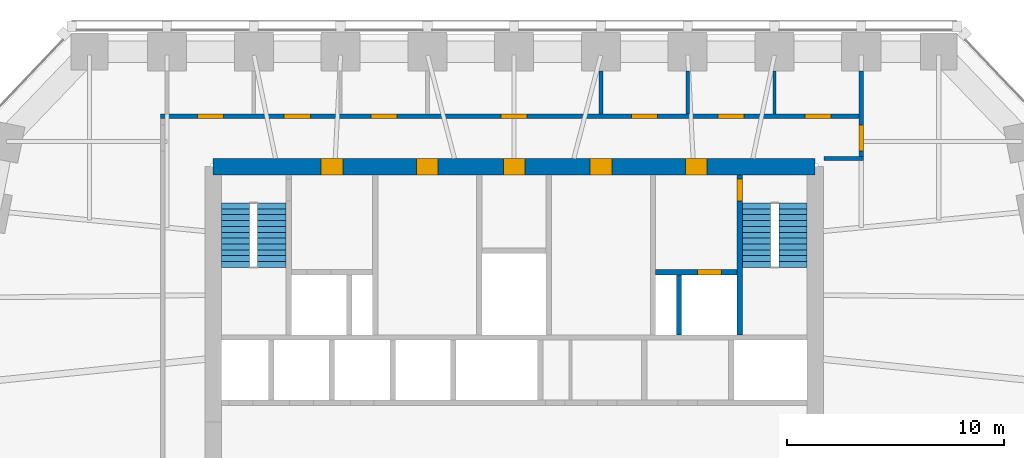
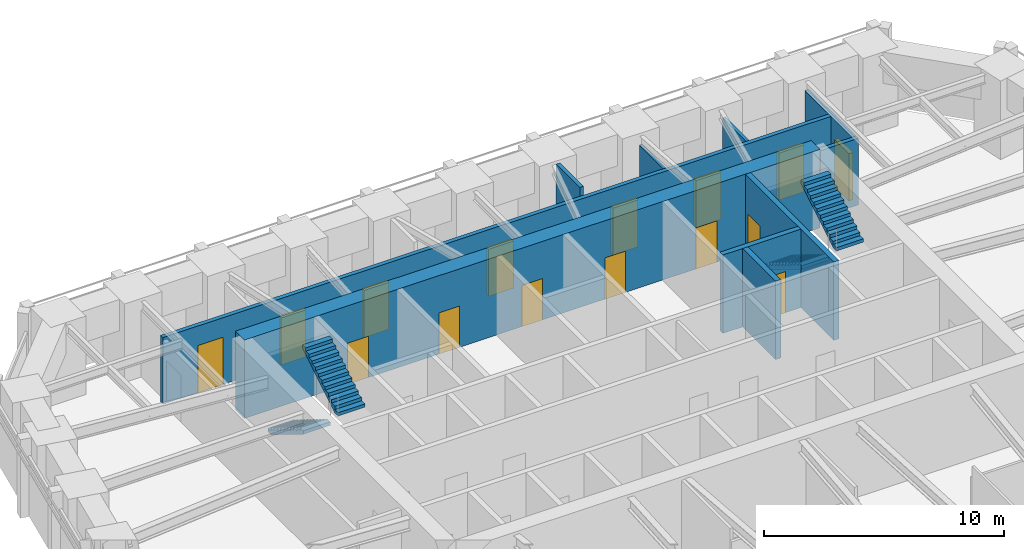
# One storey, part 7 of 9: 15 doors, 10 walls, 4 stair flights, 15 openings, 2 elements without a shape of their own.
"""IFC4 building model written with IfcOpenShell, lengths in metres."""

from ifc_helpers import new_model, si_unit, direction, frame, frame_2d, origin, place, context, subcontext, project, spatial, polyline, rectangle, outline, extrude, material, layer, layer_set, type_object, element, fill, aggregate, save


model = new_model("IFC4")

# Units and contexts
model_context = context("Model", 3, precision=1e-05, world=origin(), true_north=direction((0.0, 1.0)))
body_context = subcontext(model_context, "Body", "Model", "MODEL_VIEW")
ifc_project = project(units=[si_unit("LENGTHUNIT", "METRE"), si_unit("AREAUNIT", "SQUARE_METRE"), si_unit("VOLUMEUNIT", "CUBIC_METRE"), si_unit("PLANEANGLEUNIT", "RADIAN"), si_unit("MASSUNIT", "GRAM", prefix="KILO")], contexts=[model_context])

# Site, building, storey
site_placement = place(None, origin())
site = spatial("IfcSite", under=ifc_project, at=site_placement, CompositionType="ELEMENT")
building_placement = place(site_placement, origin())
building = spatial("IfcBuilding", under=site, at=building_placement, Name="Isbrekke Arena Tower", CompositionType="ELEMENT")
storey_placement = place(building_placement, frame((0.0, 0.0, 127.0)))
storey = spatial("IfcBuildingStorey", under=building, at=storey_placement, Name="L28", CompositionType="ELEMENT", Elevation=127.0)

# Wall, openings, doors
ifc_material_1 = material(Name="Concrete B55 (C55/67)", Category="concrete")
ifc_layer_1 = layer(ifc_material_1, 0.75)
ifc_layer_set_1 = layer_set([ifc_layer_1], Name="CW3 CORE WALL 750")
wall_type_1 = type_object("IfcWallType", Name="CW3 CORE WALL 750", PredefinedType="SHEAR", material=ifc_layer_set_1)
wall_1_placement = place(storey_placement, frame((13.875, 23.875, 0.0), z_axis=(0.0, 0.0, 1.0), x_axis=(-1.0, 0.0, 0.0)))
wall_1 = element("IfcWall", 1, at=wall_1_placement, inside=storey, type_object=wall_type_1, Name="Core wall N L28", PredefinedType="SHEAR", context=body_context, shape_type="SweptSolid", body=[
    extrude(rectangle(XDim=27.75, YDim=0.75, at=frame_2d((13.875, 0.0))), origin(), (0.0, 0.0, 1.0), 4.0),
])
opening_1_placement = place(wall_1_placement, frame((21.77490234375, 0.0, 0.0)))
opening_1 = element("IfcOpeningElement", 2, at=opening_1_placement, cuts=wall_1, Name="Opening D3", PredefinedType="OPENING", context=body_context, shape_type="SweptSolid", body=[
    extrude(rectangle(XDim=1.0, YDim=2.10009765625, at=frame_2d((0.5, 1.050048828125))), frame((0.0, 0.389892578125, 0.0), z_axis=(0.0, -1.0, 0.0), x_axis=(1.0, 0.0, 0.0)), (0.0, 0.0, 1.0), 0.77978515625),
])
opening_2_placement = place(wall_1_placement, frame((4.97509765625, 0.0, 0.0)))
opening_2 = element("IfcOpeningElement", 3, at=opening_2_placement, cuts=wall_1, Name="Opening D3", PredefinedType="OPENING", context=body_context, shape_type="SweptSolid", body=[
    extrude(rectangle(XDim=1.0, YDim=2.10009765625, at=frame_2d((0.5, 1.050048828125))), frame((0.0, 0.389892578125, 0.0), z_axis=(0.0, -1.0, 0.0), x_axis=(1.0, 0.0, 0.0)), (0.0, 0.0, 1.0), 0.77978515625),
])
opening_3_placement = place(wall_1_placement, frame((17.375, 0.0, 0.0)))
opening_3 = element("IfcOpeningElement", 4, at=opening_3_placement, cuts=wall_1, Name="Opening D4", PredefinedType="OPENING", context=body_context, shape_type="SweptSolid", body=[
    extrude(rectangle(XDim=1.0, YDim=2.10009765625, at=frame_2d((0.5, 1.050048828125))), frame((0.0, 0.389892578125, 0.0), z_axis=(0.0, -1.0, 0.0), x_axis=(1.0, 0.0, 0.0)), (0.0, 0.0, 1.0), 0.77978515625),
])
opening_4_placement = place(wall_1_placement, frame((13.375, 0.0, 0.0)))
opening_4 = element("IfcOpeningElement", 5, at=opening_4_placement, cuts=wall_1, Name="Opening D4", PredefinedType="OPENING", context=body_context, shape_type="SweptSolid", body=[
    extrude(rectangle(XDim=1.0, YDim=2.10009765625, at=frame_2d((0.5, 1.050048828125))), frame((0.0, 0.389892578125, 0.0), z_axis=(0.0, -1.0, 0.0), x_axis=(1.0, 0.0, 0.0)), (0.0, 0.0, 1.0), 0.77978515625),
])
opening_5_placement = place(wall_1_placement, frame((9.375, 0.0, 0.0)))
opening_5 = element("IfcOpeningElement", 6, at=opening_5_placement, cuts=wall_1, Name="Opening D4", PredefinedType="OPENING", context=body_context, shape_type="SweptSolid", body=[
    extrude(rectangle(XDim=1.0, YDim=2.10009765625, at=frame_2d((0.5, 1.050048828125))), frame((0.0, 0.389892578125, 0.0), z_axis=(0.0, -1.0, 0.0), x_axis=(1.0, 0.0, 0.0)), (0.0, 0.0, 1.0), 0.77978515625),
])
ifc_material_2 = material(Name="Steel fire door", Category="steel")
door_type_1 = type_object("IfcDoorType", Name="D3 FIRE LOBBY DOOR 1000 x 2100", OperationType="SINGLE_SWING_RIGHT", PredefinedType="DOOR", material=ifc_material_2)
door_1_placement = place(opening_1_placement, origin())
door_1 = element("IfcDoor", 7, at=door_1_placement, inside=storey, type_object=door_type_1, Name="D3 fire-fighting lobby door L28", OperationType="SINGLE_SWING_RIGHT", OverallHeight=2.10009765625, OverallWidth=1.0, PredefinedType="DOOR", context=body_context, shape_type="SweptSolid", body=[
    extrude(rectangle(XDim=1.0, YDim=2.10009765625, at=frame_2d((0.5, 1.050048828125))), frame((0.0, 0.374755859375, 0.0), z_axis=(0.0, -1.0, 0.0), x_axis=(1.0, 0.0, 0.0)), (0.0, 0.0, 1.0), 0.74951171875),
])
fill(opening_1, door_1)
door_2_placement = place(opening_2_placement, origin())
door_2 = element("IfcDoor", 8, at=door_2_placement, inside=storey, type_object=door_type_1, Name="D3 fire-fighting lobby door L28", OperationType="SINGLE_SWING_RIGHT", OverallHeight=2.10009765625, OverallWidth=1.0, PredefinedType="DOOR", context=body_context, shape_type="SweptSolid", body=[
    extrude(rectangle(XDim=1.0, YDim=2.10009765625, at=frame_2d((0.5, 1.050048828125))), frame((0.0, 0.374755859375, 0.0), z_axis=(0.0, -1.0, 0.0), x_axis=(1.0, 0.0, 0.0)), (0.0, 0.0, 1.0), 0.74951171875),
])
fill(opening_2, door_2)
ifc_material_3 = material(Name="Timber door", Category="wood")
door_type_2 = type_object("IfcDoorType", Name="D4 WC DOOR 1000 x 2100", OperationType="SINGLE_SWING_LEFT", PredefinedType="DOOR", material=ifc_material_3)
door_3_placement = place(opening_3_placement, origin())
door_3 = element("IfcDoor", 9, at=door_3_placement, inside=storey, type_object=door_type_2, Name="D4 wc female door L28", OperationType="SINGLE_SWING_LEFT", OverallHeight=2.10009765625, OverallWidth=1.0, PredefinedType="DOOR", context=body_context, shape_type="SweptSolid", body=[
    extrude(rectangle(XDim=1.0, YDim=2.10009765625, at=frame_2d((0.5, 1.050048828125))), frame((0.0, 0.374755859375, 0.0), z_axis=(0.0, -1.0, 0.0), x_axis=(1.0, 0.0, 0.0)), (0.0, 0.0, 1.0), 0.74951171875),
])
fill(opening_3, door_3)
door_4_placement = place(opening_4_placement, origin())
door_4 = element("IfcDoor", 10, at=door_4_placement, inside=storey, type_object=door_type_2, Name="D4 accessible wc door L28", OperationType="SINGLE_SWING_LEFT", OverallHeight=2.10009765625, OverallWidth=1.0, PredefinedType="DOOR", context=body_context, shape_type="SweptSolid", body=[
    extrude(rectangle(XDim=1.0, YDim=2.10009765625, at=frame_2d((0.5, 1.050048828125))), frame((0.0, 0.374755859375, 0.0), z_axis=(0.0, -1.0, 0.0), x_axis=(1.0, 0.0, 0.0)), (0.0, 0.0, 1.0), 0.74951171875),
])
fill(opening_4, door_4)
door_5_placement = place(opening_5_placement, origin())
door_5 = element("IfcDoor", 11, at=door_5_placement, inside=storey, type_object=door_type_2, Name="D4 wc male door L28", OperationType="SINGLE_SWING_LEFT", OverallHeight=2.10009765625, OverallWidth=1.0, PredefinedType="DOOR", context=body_context, shape_type="SweptSolid", body=[
    extrude(rectangle(XDim=1.0, YDim=2.10009765625, at=frame_2d((0.5, 1.050048828125))), frame((0.0, 0.374755859375, 0.0), z_axis=(0.0, -1.0, 0.0), x_axis=(1.0, 0.0, 0.0)), (0.0, 0.0, 1.0), 0.74951171875),
])
fill(opening_5, door_5)

# Wall, opening, door
ifc_material_4 = material(Name="Concrete B45 (C45/55)", Category="concrete")
ifc_layer_2 = layer(ifc_material_4, 0.25)
ifc_layer_set_2 = layer_set([ifc_layer_2], Name="CW6 SHAFT WALL 250")
wall_type_2 = type_object("IfcWallType", Name="CW6 SHAFT WALL 250", PredefinedType="SHEAR", material=ifc_layer_set_2)
wall_2_placement = place(storey_placement, frame((10.39990234375, 16.125, 0.0), z_axis=(0.0, 0.0, 1.0), x_axis=(0.0, 1.0, 0.0)))
wall_2 = element("IfcWall", 12, at=wall_2_placement, inside=storey, type_object=wall_type_2, Name="Core wall NV06 L28", PredefinedType="SHEAR", context=body_context, shape_type="SweptSolid", body=[
    extrude(rectangle(XDim=7.375, YDim=0.25, at=frame_2d((3.6875, 0.0))), origin(), (0.0, 0.0, 1.0), 4.0),
])
opening_6_placement = place(wall_2_placement, frame((6.175048828125, 0.0, 0.0)))
opening_6 = element("IfcOpeningElement", 13, at=opening_6_placement, cuts=wall_2, Name="Opening D2", PredefinedType="OPENING", context=body_context, shape_type="SweptSolid", body=[
    extrude(rectangle(XDim=1.0, YDim=2.10009765625, at=frame_2d((0.5, 1.050048828125))), frame((0.0, 0.139892578125, 0.0), z_axis=(0.0, -1.0, 0.0), x_axis=(1.0, 0.0, 0.0)), (0.0, 0.0, 1.0), 0.27978515625),
])
ifc_material_5 = material(Name="Steel fire door", Category="steel")
door_type_3 = type_object("IfcDoorType", Name="D2 STAIR DOOR 1000 x 2100", OperationType="SINGLE_SWING_LEFT", PredefinedType="DOOR", material=ifc_material_5)
door_6_placement = place(opening_6_placement, origin())
door_6 = element("IfcDoor", 14, at=door_6_placement, inside=storey, type_object=door_type_3, Name="D2 stair door ST2 L28", OperationType="SINGLE_SWING_LEFT", OverallHeight=2.10009765625, OverallWidth=1.0, PredefinedType="DOOR", context=body_context, shape_type="SweptSolid", body=[
    extrude(rectangle(XDim=1.0, YDim=2.10009765625, at=frame_2d((0.5, 1.050048828125))), frame((0.0, 0.124755859375, 0.0), z_axis=(0.0, -1.0, 0.0), x_axis=(1.0, 0.0, 0.0)), (0.0, 0.0, 1.0), 0.24951171875),
])
fill(opening_6, door_6)

wall_3_placement = place(storey_placement, frame((6.52490234375, 19.0, 0.0), z_axis=(0.0, 0.0, 1.0), x_axis=(1.0, 0.0, 0.0)))
wall_3 = element("IfcWall", 15, at=wall_3_placement, inside=storey, type_object=wall_type_2, Name="Core wall NFE L28", PredefinedType="SHEAR", context=body_context, shape_type="SweptSolid", body=[
    extrude(rectangle(XDim=3.75, YDim=0.25, at=frame_2d((1.875, 0.0))), origin(), (0.0, 0.0, 1.0), 4.0),
])
opening_7_placement = place(wall_3_placement, frame((1.925048828125, 0.0, 0.0)))
opening_7 = element("IfcOpeningElement", 16, at=opening_7_placement, cuts=wall_3, Name="Opening LD2", PredefinedType="OPENING", context=body_context, shape_type="SweptSolid", body=[
    extrude(rectangle(XDim=1.10009765625, YDim=2.10009765625, at=frame_2d((0.550048828125, 1.050048828125))), frame((0.0, 0.139892578125, 0.0), z_axis=(0.0, -1.0, 0.0), x_axis=(1.0, 0.0, 0.0)), (0.0, 0.0, 1.0), 0.27978515625),
])
ifc_material_6 = material(Name="Stainless steel lift landing door", Category="steel")
door_type_4 = type_object("IfcDoorType", Name="LD2 FIRE-FIGHTING LIFT LANDING DOOR 1100 x 2100", OperationType="SLIDING_TO_RIGHT", PredefinedType="DOOR", material=ifc_material_6)
door_7_placement = place(opening_7_placement, origin())
door_7 = element("IfcDoor", 17, at=door_7_placement, inside=storey, type_object=door_type_4, Name="LD2 lift landing door LF L28", OperationType="SLIDING_TO_RIGHT", OverallHeight=2.10009765625, OverallWidth=1.10009765625, PredefinedType="DOOR", context=body_context, shape_type="SweptSolid", body=[
    extrude(rectangle(XDim=1.10009765625, YDim=2.10009765625, at=frame_2d((0.550048828125, 1.050048828125))), frame((0.0, 0.124755859375, 0.0), z_axis=(0.0, -1.0, 0.0), x_axis=(1.0, 0.0, 0.0)), (0.0, 0.0, 1.0), 0.24951171875),
])
fill(opening_7, door_7)

# Walls
wall_4_placement = place(storey_placement, frame((7.60009765625, 16.125, 0.0), z_axis=(0.0, 0.0, 1.0), x_axis=(0.0, 1.0, 0.0)))
element("IfcWall", 18, at=wall_4_placement, inside=storey, type_object=wall_type_2, Name="Core wall NFS2 L28", PredefinedType="SHEAR", context=body_context, shape_type="SweptSolid", body=[
    extrude(rectangle(XDim=2.75, YDim=0.25, at=frame_2d((1.375, 0.0))), origin(), (0.0, 0.0, 1.0), 4.0),
])
ifc_material_7 = material(Name="Gypsum board partition on steel studs", Category="steel")
ifc_layer_3 = layer(ifc_material_7, 0.14990234375)
ifc_layer_set_3 = layer_set([ifc_layer_3], Name="IW1 PARTITION 150")
wall_type_3 = type_object("IfcWallType", Name="IW1 PARTITION 150", PredefinedType="PARTITIONING", material=ifc_layer_set_3)
for number, where, z_axis, x_axis, name in (
    (19, (8.0, 26.300048828125, 0.0), (0.0, 0.0, 1.0), (0.0, 1.0, 0.0), "IW1 partition 150 L28"),
    (20, (12.0, 26.300048828125, 0.0), (0.0, 0.0, 1.0), (0.0, 1.0, 0.0), "IW1 partition 150 L28"),
):
    element("IfcWall", number, at=place(storey_placement, frame(where, z_axis=z_axis, x_axis=x_axis)), inside=storey, type_object=wall_type_3, Name=name, PredefinedType="PARTITIONING", context=body_context, shape_type="SweptSolid", body=[
        extrude(rectangle(XDim=1.974853515625, YDim=0.14990234375, at=frame_2d((0.9873046875, 0.0))), origin(), (0.0, 0.0, 1.0), 3.39990234375),
    ])
ifc_material_8 = material(Name="Gypsum board fire-cell wall on steel studs, two layers each side", Category="steel")
ifc_layer_4 = layer(ifc_material_8, 0.199951171875)
ifc_layer_set_4 = layer_set([ifc_layer_4], Name="IW3 FIRE-CELL WALL 200")
wall_type_4 = type_object("IfcWallType", Name="IW3 FIRE-CELL WALL 200", PredefinedType="PARTITIONING", material=ifc_layer_set_4)
wall_5_placement = place(storey_placement, frame((14.280029296875, 24.25, 0.0), z_axis=(0.0, 0.0, 1.0), x_axis=(1.0, 0.0, 0.0)))
element("IfcWall", 21, at=wall_5_placement, inside=storey, type_object=wall_type_4, Name="IW3 fire-cell wall 200 L28", PredefinedType="PARTITIONING", context=body_context, shape_type="SweptSolid", body=[
    extrude(rectangle(XDim=1.820068359375, YDim=0.199951171875, at=frame_2d((0.91015625, 0.0))), origin(), (0.0, 0.0, 1.0), 3.39990234375),
])

# Wall, openings, doors
wall_6_placement = place(storey_placement, frame((-16.300048828125, 26.199951171875, 0.0), z_axis=(0.0, 0.0, 1.0), x_axis=(1.0, 0.0, 0.0)))
wall_6 = element("IfcWall", 22, at=wall_6_placement, inside=storey, type_object=wall_type_4, Name="IW3 fire-cell wall 200 L28", PredefinedType="PARTITIONING", context=body_context, shape_type="SweptSolid", body=[
    extrude(rectangle(XDim=32.199951171875, YDim=0.199951171875, at=frame_2d((16.10009765625, 0.0))), origin(), (0.0, 0.0, 1.0), 3.39990234375),
])
opening_8_placement = place(wall_6_placement, frame((1.699951171875, 0.0, 0.0)))
opening_8 = element("IfcOpeningElement", 23, at=opening_8_placement, cuts=wall_6, Name="Opening D12", PredefinedType="OPENING", context=body_context, shape_type="SweptSolid", body=[
    extrude(rectangle(XDim=1.199951171875, YDim=2.39990234375, at=frame_2d((0.60009765625, 1.199951171875))), frame((0.0, 0.11474609375, 0.0), z_axis=(0.0, -1.0, 0.0), x_axis=(1.0, 0.0, 0.0)), (0.0, 0.0, 1.0), 0.229736328125),
])
opening_9_placement = place(wall_6_placement, frame((5.699951171875, 0.0, 0.0)))
opening_9 = element("IfcOpeningElement", 24, at=opening_9_placement, cuts=wall_6, Name="Opening D12", PredefinedType="OPENING", context=body_context, shape_type="SweptSolid", body=[
    extrude(rectangle(XDim=1.199951171875, YDim=2.39990234375, at=frame_2d((0.60009765625, 1.199951171875))), frame((0.0, 0.11474609375, 0.0), z_axis=(0.0, -1.0, 0.0), x_axis=(1.0, 0.0, 0.0)), (0.0, 0.0, 1.0), 0.229736328125),
])
opening_10_placement = place(wall_6_placement, frame((9.699951171875, 0.0, 0.0)))
opening_10 = element("IfcOpeningElement", 25, at=opening_10_placement, cuts=wall_6, Name="Opening D12", PredefinedType="OPENING", context=body_context, shape_type="SweptSolid", body=[
    extrude(rectangle(XDim=1.199951171875, YDim=2.39990234375, at=frame_2d((0.60009765625, 1.199951171875))), frame((0.0, 0.11474609375, 0.0), z_axis=(0.0, -1.0, 0.0), x_axis=(1.0, 0.0, 0.0)), (0.0, 0.0, 1.0), 0.229736328125),
])
opening_11_placement = place(wall_6_placement, frame((15.699951171875, 0.0, 0.0)))
opening_11 = element("IfcOpeningElement", 26, at=opening_11_placement, cuts=wall_6, Name="Opening D12", PredefinedType="OPENING", context=body_context, shape_type="SweptSolid", body=[
    extrude(rectangle(XDim=1.199951171875, YDim=2.39990234375, at=frame_2d((0.60009765625, 1.199951171875))), frame((0.0, 0.11474609375, 0.0), z_axis=(0.0, -1.0, 0.0), x_axis=(1.0, 0.0, 0.0)), (0.0, 0.0, 1.0), 0.229736328125),
])
opening_12_placement = place(wall_6_placement, frame((21.699951171875, 0.0, 0.0)))
opening_12 = element("IfcOpeningElement", 27, at=opening_12_placement, cuts=wall_6, Name="Opening D12", PredefinedType="OPENING", context=body_context, shape_type="SweptSolid", body=[
    extrude(rectangle(XDim=1.199951171875, YDim=2.39990234375, at=frame_2d((0.60009765625, 1.199951171875))), frame((0.0, 0.11474609375, 0.0), z_axis=(0.0, -1.0, 0.0), x_axis=(1.0, 0.0, 0.0)), (0.0, 0.0, 1.0), 0.229736328125),
])
opening_13_placement = place(wall_6_placement, frame((25.699951171875, 0.0, 0.0)))
opening_13 = element("IfcOpeningElement", 28, at=opening_13_placement, cuts=wall_6, Name="Opening D12", PredefinedType="OPENING", context=body_context, shape_type="SweptSolid", body=[
    extrude(rectangle(XDim=1.199951171875, YDim=2.39990234375, at=frame_2d((0.60009765625, 1.199951171875))), frame((0.0, 0.11474609375, 0.0), z_axis=(0.0, -1.0, 0.0), x_axis=(1.0, 0.0, 0.0)), (0.0, 0.0, 1.0), 0.229736328125),
])
opening_14_placement = place(wall_6_placement, frame((29.699951171875, 0.0, 0.0)))
opening_14 = element("IfcOpeningElement", 29, at=opening_14_placement, cuts=wall_6, Name="Opening D12", PredefinedType="OPENING", context=body_context, shape_type="SweptSolid", body=[
    extrude(rectangle(XDim=1.199951171875, YDim=2.39990234375, at=frame_2d((0.60009765625, 1.199951171875))), frame((0.0, 0.11474609375, 0.0), z_axis=(0.0, -1.0, 0.0), x_axis=(1.0, 0.0, 0.0)), (0.0, 0.0, 1.0), 0.229736328125),
])
ifc_material_9 = material(Name="Timber fire door with vision panel", Category="wood")
door_type_5 = type_object("IfcDoorType", Name="D12 SUITE ENTRANCE DOOR 1200 x 2400", OperationType="SINGLE_SWING_LEFT", PredefinedType="DOOR", material=ifc_material_9)
door_8_placement = place(opening_8_placement, origin())
door_8 = element("IfcDoor", 30, at=door_8_placement, inside=storey, type_object=door_type_5, Name="D12 office door L28", OperationType="SINGLE_SWING_LEFT", OverallHeight=2.39990234375, OverallWidth=1.199951171875, PredefinedType="DOOR", context=body_context, shape_type="SweptSolid", body=[
    extrude(rectangle(XDim=1.199951171875, YDim=2.39990234375, at=frame_2d((0.60009765625, 1.199951171875))), frame((0.0, 0.099609375, 0.0), z_axis=(0.0, -1.0, 0.0), x_axis=(1.0, 0.0, 0.0)), (0.0, 0.0, 1.0), 0.199462890625),
])
fill(opening_8, door_8)
door_9_placement = place(opening_9_placement, origin())
door_9 = element("IfcDoor", 31, at=door_9_placement, inside=storey, type_object=door_type_5, Name="D12 office door L28", OperationType="SINGLE_SWING_LEFT", OverallHeight=2.39990234375, OverallWidth=1.199951171875, PredefinedType="DOOR", context=body_context, shape_type="SweptSolid", body=[
    extrude(rectangle(XDim=1.199951171875, YDim=2.39990234375, at=frame_2d((0.60009765625, 1.199951171875))), frame((0.0, 0.099609375, 0.0), z_axis=(0.0, -1.0, 0.0), x_axis=(1.0, 0.0, 0.0)), (0.0, 0.0, 1.0), 0.199462890625),
])
fill(opening_9, door_9)
door_10_placement = place(opening_10_placement, origin())
door_10 = element("IfcDoor", 32, at=door_10_placement, inside=storey, type_object=door_type_5, Name="D12 focus room door L28", OperationType="SINGLE_SWING_LEFT", OverallHeight=2.39990234375, OverallWidth=1.199951171875, PredefinedType="DOOR", context=body_context, shape_type="SweptSolid", body=[
    extrude(rectangle(XDim=1.199951171875, YDim=2.39990234375, at=frame_2d((0.60009765625, 1.199951171875))), frame((0.0, 0.099609375, 0.0), z_axis=(0.0, -1.0, 0.0), x_axis=(1.0, 0.0, 0.0)), (0.0, 0.0, 1.0), 0.199462890625),
])
fill(opening_10, door_10)
door_11_placement = place(opening_11_placement, origin())
door_11 = element("IfcDoor", 33, at=door_11_placement, inside=storey, type_object=door_type_5, Name="D12 meeting room door L28", OperationType="SINGLE_SWING_LEFT", OverallHeight=2.39990234375, OverallWidth=1.199951171875, PredefinedType="DOOR", context=body_context, shape_type="SweptSolid", body=[
    extrude(rectangle(XDim=1.199951171875, YDim=2.39990234375, at=frame_2d((0.60009765625, 1.199951171875))), frame((0.0, 0.099609375, 0.0), z_axis=(0.0, -1.0, 0.0), x_axis=(1.0, 0.0, 0.0)), (0.0, 0.0, 1.0), 0.199462890625),
])
fill(opening_11, door_11)
door_12_placement = place(opening_12_placement, origin())
door_12 = element("IfcDoor", 34, at=door_12_placement, inside=storey, type_object=door_type_5, Name="D12 focus room door L28", OperationType="SINGLE_SWING_LEFT", OverallHeight=2.39990234375, OverallWidth=1.199951171875, PredefinedType="DOOR", context=body_context, shape_type="SweptSolid", body=[
    extrude(rectangle(XDim=1.199951171875, YDim=2.39990234375, at=frame_2d((0.60009765625, 1.199951171875))), frame((0.0, 0.099609375, 0.0), z_axis=(0.0, -1.0, 0.0), x_axis=(1.0, 0.0, 0.0)), (0.0, 0.0, 1.0), 0.199462890625),
])
fill(opening_12, door_12)
door_13_placement = place(opening_13_placement, origin())
door_13 = element("IfcDoor", 35, at=door_13_placement, inside=storey, type_object=door_type_5, Name="D12 office door L28", OperationType="SINGLE_SWING_LEFT", OverallHeight=2.39990234375, OverallWidth=1.199951171875, PredefinedType="DOOR", context=body_context, shape_type="SweptSolid", body=[
    extrude(rectangle(XDim=1.199951171875, YDim=2.39990234375, at=frame_2d((0.60009765625, 1.199951171875))), frame((0.0, 0.099609375, 0.0), z_axis=(0.0, -1.0, 0.0), x_axis=(1.0, 0.0, 0.0)), (0.0, 0.0, 1.0), 0.199462890625),
])
fill(opening_13, door_13)
door_14_placement = place(opening_14_placement, origin())
door_14 = element("IfcDoor", 36, at=door_14_placement, inside=storey, type_object=door_type_5, Name="D12 office door L28", OperationType="SINGLE_SWING_LEFT", OverallHeight=2.39990234375, OverallWidth=1.199951171875, PredefinedType="DOOR", context=body_context, shape_type="SweptSolid", body=[
    extrude(rectangle(XDim=1.199951171875, YDim=2.39990234375, at=frame_2d((0.60009765625, 1.199951171875))), frame((0.0, 0.099609375, 0.0), z_axis=(0.0, -1.0, 0.0), x_axis=(1.0, 0.0, 0.0)), (0.0, 0.0, 1.0), 0.199462890625),
])
fill(opening_14, door_14)

# Wall, opening, door
wall_7_placement = place(storey_placement, frame((16.0, 24.35009765625, 0.0), z_axis=(0.0, 0.0, 1.0), x_axis=(0.0, 1.0, 0.0)))
wall_7 = element("IfcWall", 37, at=wall_7_placement, inside=storey, type_object=wall_type_4, Name="IW3 fire-cell wall 200 L28", PredefinedType="PARTITIONING", context=body_context, shape_type="SweptSolid", body=[
    extrude(rectangle(XDim=3.9248046875, YDim=0.199951171875, at=frame_2d((1.96240234375, 0.0))), origin(), (0.0, 0.0, 1.0), 3.39990234375),
])
opening_15_placement = place(wall_7_placement, frame((0.25, 0.0, 0.0)))
opening_15 = element("IfcOpeningElement", 38, at=opening_15_placement, cuts=wall_7, Name="Opening D12", PredefinedType="OPENING", context=body_context, shape_type="SweptSolid", body=[
    extrude(rectangle(XDim=1.199951171875, YDim=2.39990234375, at=frame_2d((0.60009765625, 1.199951171875))), frame((0.0, 0.11474609375, 0.0), z_axis=(0.0, -1.0, 0.0), x_axis=(1.0, 0.0, 0.0)), (0.0, 0.0, 1.0), 0.229736328125),
])
door_15_placement = place(opening_15_placement, origin())
door_15 = element("IfcDoor", 39, at=door_15_placement, inside=storey, type_object=door_type_5, Name="D12 suite entrance A door L28", OperationType="SINGLE_SWING_LEFT", OverallHeight=2.39990234375, OverallWidth=1.199951171875, PredefinedType="DOOR", context=body_context, shape_type="SweptSolid", body=[
    extrude(rectangle(XDim=1.199951171875, YDim=2.39990234375, at=frame_2d((0.60009765625, 1.199951171875))), frame((0.0, 0.099609375, 0.0), z_axis=(0.0, -1.0, 0.0), x_axis=(1.0, 0.0, 0.0)), (0.0, 0.0, 1.0), 0.199462890625),
])
fill(opening_15, door_15)

# Wall
ifc_material_10 = material(Name="Gypsum board acoustic partition on twin steel studs", Category="steel")
ifc_layer_5 = layer(ifc_material_10, 0.175048828125)
ifc_layer_set_5 = layer_set([ifc_layer_5], Name="IW4 ACOUSTIC PARTITION 175")
wall_type_5 = type_object("IfcWallType", Name="IW4 ACOUSTIC PARTITION 175", PredefinedType="PARTITIONING", material=ifc_layer_set_5)
wall_8_placement = place(storey_placement, frame((4.0, 26.300048828125, 0.0), z_axis=(0.0, 0.0, 1.0), x_axis=(0.0, 1.0, 0.0)))
element("IfcWall", 40, at=wall_8_placement, inside=storey, type_object=wall_type_5, Name="IW4 acoustic partition 175 L28", PredefinedType="PARTITIONING", context=body_context, shape_type="SweptSolid", body=[
    extrude(rectangle(XDim=1.974853515625, YDim=0.175048828125, at=frame_2d((0.9873046875, 0.0))), origin(), (0.0, 0.0, 1.0), 3.85009765625),
])

# Stair, stair flights
ifc_material_11 = material(Name="Concrete B45 (C45/55) precast", Category="concrete")
stair_type = type_object("IfcStairType", Name="ST40 STAIR 1300 WIDE, 24 RISERS 167", PredefinedType="HALF_TURN_STAIR", material=ifc_material_11)
stair_1_placement = place(storey_placement, origin())
stair_1 = element("IfcStair", 41, at=stair_1_placement, inside=storey, type_object=stair_type, Name="ST1 stair L28", PredefinedType="HALF_TURN_STAIR")
ifc_material_12 = material(Name="Concrete B45 (C45/55) precast", Category="concrete")
stair_flight_type = type_object("IfcStairFlightType", Name="SF 1300 FLIGHT", PredefinedType="STRAIGHT", material=ifc_material_12)
stair_flight_1_placement = place(storey_placement, frame((-12.85009765625, 22.199951171875, 0.0), z_axis=(0.0, 0.0, 1.0), x_axis=(0.0, -1.0, 0.0)))
stair_flight_1 = element("IfcStairFlight", 42, at=stair_flight_1_placement, type_object=stair_flight_type, Name="ST1 flight 1", NumberOfRisers=12, NumberOfTreads=11, PredefinedType="STRAIGHT", RiserHeight=0.166666667, TreadLength=0.27, context=body_context, shape_type="SweptSolid", body=[
    extrude(outline(polyline([(0.0, 0.0), (0.0, 0.166748046875), (0.27001953125, 0.166748046875), (0.27001953125, 0.333251953125), (0.5400390625, 0.333251953125), (0.5400390625, 0.5), (0.81005859375, 0.5), (0.81005859375, 0.666748046875), (1.080078125, 0.666748046875), (1.080078125, 0.833251953125), (1.35009765625, 0.833251953125), (1.35009765625, 1.0), (1.6201171875, 1.0), (1.6201171875, 1.166748046875), (1.889892578125, 1.166748046875), (1.889892578125, 1.333251953125), (2.159912109375, 1.333251953125), (2.159912109375, 1.5), (2.429931640625, 1.5), (2.429931640625, 1.666748046875), (2.699951171875, 1.666748046875), (2.699951171875, 1.833251953125), (2.969970703125, 1.833251953125), (2.969970703125, 2.0), (2.969970703125, 1.6572265625), (0.285400390625, 0.0), (0.0, 0.0)])), frame((0.0, 0.64990234375, 0.0), z_axis=(0.0, -1.0, 0.0), x_axis=(1.0, 0.0, 0.0)), (0.0, 0.0, 1.0), 1.300048828125),
])
stair_flight_2_placement = place(storey_placement, frame((-11.175048828125, 19.22998046875, 2.0), z_axis=(0.0, 0.0, 1.0), x_axis=(0.0, 1.0, 0.0)))
stair_flight_2 = element("IfcStairFlight", 43, at=stair_flight_2_placement, type_object=stair_flight_type, Name="ST1 flight 2", NumberOfRisers=12, NumberOfTreads=11, PredefinedType="STRAIGHT", RiserHeight=0.166666667, TreadLength=0.27, context=body_context, shape_type="SweptSolid", body=[
    extrude(outline(polyline([(0.0, 0.0), (0.0, 0.166748046875), (0.27001953125, 0.166748046875), (0.27001953125, 0.333251953125), (0.5400390625, 0.333251953125), (0.5400390625, 0.5), (0.81005859375, 0.5), (0.81005859375, 0.666748046875), (1.080078125, 0.666748046875), (1.080078125, 0.833251953125), (1.35009765625, 0.833251953125), (1.35009765625, 1.0), (1.6201171875, 1.0), (1.6201171875, 1.166748046875), (1.889892578125, 1.166748046875), (1.889892578125, 1.333251953125), (2.159912109375, 1.333251953125), (2.159912109375, 1.5), (2.429931640625, 1.5), (2.429931640625, 1.666748046875), (2.699951171875, 1.666748046875), (2.699951171875, 1.833251953125), (2.969970703125, 1.833251953125), (2.969970703125, 2.0), (2.969970703125, 1.6572265625), (0.285400390625, 0.0), (0.0, 0.0)])), frame((0.0, 0.64990234375, 0.0), z_axis=(0.0, -1.0, 0.0), x_axis=(1.0, 0.0, 0.0)), (0.0, 0.0, 1.0), 1.300048828125),
])
aggregate(stair_1, [stair_flight_1, stair_flight_2])

stair_2_placement = place(storey_placement, origin())
stair_2 = element("IfcStair", 44, at=stair_2_placement, inside=storey, type_object=stair_type, Name="ST2 stair L28", PredefinedType="HALF_TURN_STAIR")
stair_flight_3_placement = place(storey_placement, frame((11.175048828125, 22.199951171875, 0.0), z_axis=(0.0, 0.0, 1.0), x_axis=(0.0, -1.0, 0.0)))
stair_flight_3 = element("IfcStairFlight", 45, at=stair_flight_3_placement, type_object=stair_flight_type, Name="ST2 flight 1", NumberOfRisers=12, NumberOfTreads=11, PredefinedType="STRAIGHT", RiserHeight=0.166666667, TreadLength=0.27, context=body_context, shape_type="SweptSolid", body=[
    extrude(outline(polyline([(0.0, 0.0), (0.0, 0.166748046875), (0.27001953125, 0.166748046875), (0.27001953125, 0.333251953125), (0.5400390625, 0.333251953125), (0.5400390625, 0.5), (0.81005859375, 0.5), (0.81005859375, 0.666748046875), (1.080078125, 0.666748046875), (1.080078125, 0.833251953125), (1.35009765625, 0.833251953125), (1.35009765625, 1.0), (1.6201171875, 1.0), (1.6201171875, 1.166748046875), (1.889892578125, 1.166748046875), (1.889892578125, 1.333251953125), (2.159912109375, 1.333251953125), (2.159912109375, 1.5), (2.429931640625, 1.5), (2.429931640625, 1.666748046875), (2.699951171875, 1.666748046875), (2.699951171875, 1.833251953125), (2.969970703125, 1.833251953125), (2.969970703125, 2.0), (2.969970703125, 1.6572265625), (0.285400390625, 0.0), (0.0, 0.0)])), frame((0.0, 0.64990234375, 0.0), z_axis=(0.0, -1.0, 0.0), x_axis=(1.0, 0.0, 0.0)), (0.0, 0.0, 1.0), 1.300048828125),
])
stair_flight_4_placement = place(storey_placement, frame((12.85009765625, 19.22998046875, 2.0), z_axis=(0.0, 0.0, 1.0), x_axis=(0.0, 1.0, 0.0)))
stair_flight_4 = element("IfcStairFlight", 46, at=stair_flight_4_placement, type_object=stair_flight_type, Name="ST2 flight 2", NumberOfRisers=12, NumberOfTreads=11, PredefinedType="STRAIGHT", RiserHeight=0.166666667, TreadLength=0.27, context=body_context, shape_type="SweptSolid", body=[
    extrude(outline(polyline([(0.0, 0.0), (0.0, 0.166748046875), (0.27001953125, 0.166748046875), (0.27001953125, 0.333251953125), (0.5400390625, 0.333251953125), (0.5400390625, 0.5), (0.81005859375, 0.5), (0.81005859375, 0.666748046875), (1.080078125, 0.666748046875), (1.080078125, 0.833251953125), (1.35009765625, 0.833251953125), (1.35009765625, 1.0), (1.6201171875, 1.0), (1.6201171875, 1.166748046875), (1.889892578125, 1.166748046875), (1.889892578125, 1.333251953125), (2.159912109375, 1.333251953125), (2.159912109375, 1.5), (2.429931640625, 1.5), (2.429931640625, 1.666748046875), (2.699951171875, 1.666748046875), (2.699951171875, 1.833251953125), (2.969970703125, 1.833251953125), (2.969970703125, 2.0), (2.969970703125, 1.6572265625), (0.285400390625, 0.0), (0.0, 0.0)])), frame((0.0, 0.64990234375, 0.0), z_axis=(0.0, -1.0, 0.0), x_axis=(1.0, 0.0, 0.0)), (0.0, 0.0, 1.0), 1.300048828125),
])
aggregate(stair_2, [stair_flight_3, stair_flight_4])

save(model, "model.ifc")
